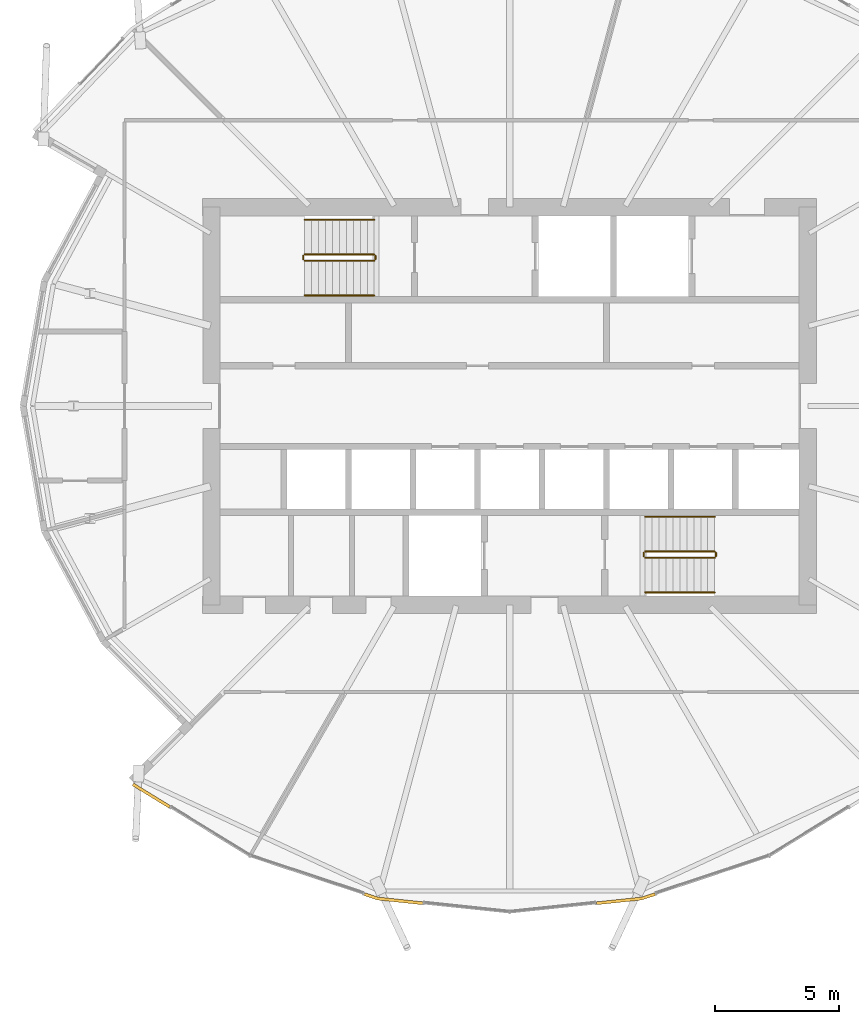
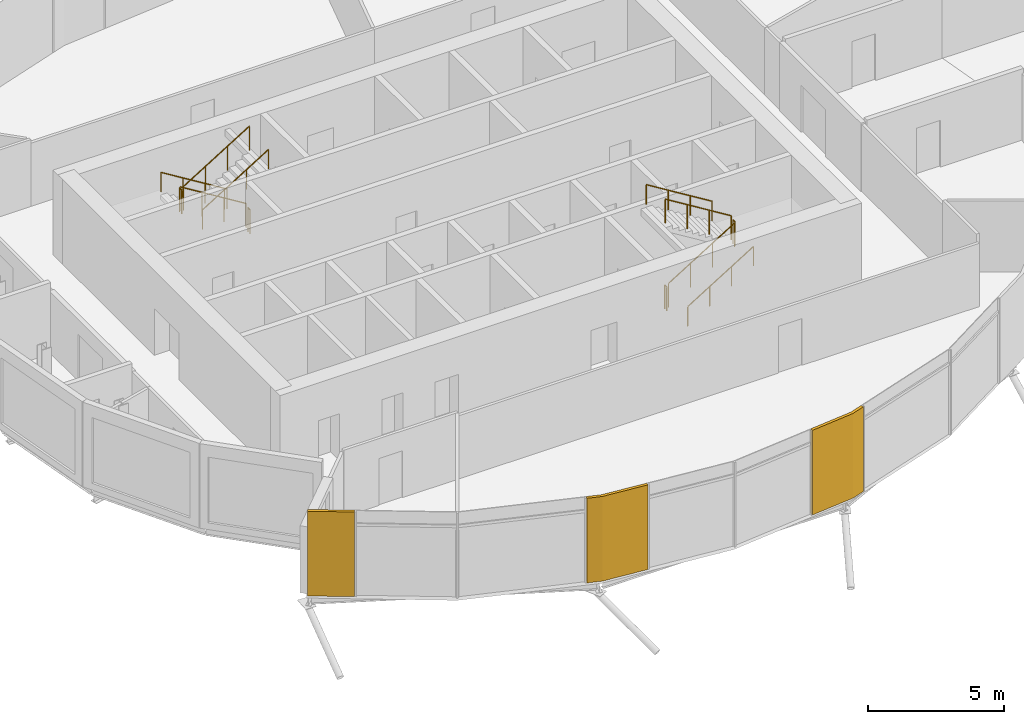
# One storey, part 36 of 39: 12 railings, 3 coverings.
"""IFC4 building model written with IfcOpenShell, lengths in metres."""

from ifc_helpers import new_model, si_unit, direction, frame, origin, origin_2d, place, context, subcontext, project, spatial, polyline, circle, outline, extrude, material, layer, layer_set, type_object, element, save


model = new_model("IFC4")

# Units and contexts
model_context = context("Model", 3, precision=1e-05, world=origin(), true_north=direction((0.0, 1.0)))
body_context = subcontext(model_context, "Body", "Model", "MODEL_VIEW")
ifc_project = project(units=[si_unit("LENGTHUNIT", "METRE"), si_unit("AREAUNIT", "SQUARE_METRE"), si_unit("VOLUMEUNIT", "CUBIC_METRE"), si_unit("PLANEANGLEUNIT", "RADIAN"), si_unit("MASSUNIT", "GRAM", prefix="KILO")], contexts=[model_context])

# Site, building, storey
site_placement = place(None, origin())
site = spatial("IfcSite", under=ifc_project, at=site_placement, CompositionType="ELEMENT")
building_placement = place(site_placement, origin())
building = spatial("IfcBuilding", under=site, at=building_placement, Name="Rimbun Link Towers", CompositionType="ELEMENT")
storey_placement = place(building_placement, frame((0.0, 0.0, 143.0)))
storey = spatial("IfcBuildingStorey", under=building, at=storey_placement, Name="L34", CompositionType="ELEMENT", Elevation=143.0)

# Coverings
ifc_material_1 = material(Name="Terracotta", Category="masonry")
ifc_layer = layer(ifc_material_1, 0.1201171875)
ifc_layer_set = layer_set([ifc_layer], Name="LINK PIER terracotta cladding 120")
covering_type = type_object("IfcCoveringType", Name="LINK PIER terracotta cladding 120", PredefinedType="CLADDING", material=ifc_layer_set)
covering_1_placement = place(storey_placement, origin())
element("IfcCovering", 1, at=covering_1_placement, inside=storey, type_object=covering_type, Name="LINK PIER cladding", PredefinedType="CLADDING", context=body_context, shape_type="SweptSolid", body=[
    extrude(outline(polyline([(-45.395751953125, -16.080322265625), (-46.878662109375, -15.169921875), (-46.94140625, -15.272216796875), (-45.45849609375, -16.1826171875), (-45.395751953125, -16.080322265625)])), origin(), (0.0, 0.0, 1.0), 3.800048828125),
])
covering_2_placement = place(storey_placement, origin())
element("IfcCovering", 2, at=covering_2_placement, inside=storey, type_object=covering_type, Name="LINK PIER cladding", PredefinedType="CLADDING", context=body_context, shape_type="SweptSolid", body=[
    extrude(outline(polyline([(-35.234130859375, -19.94873046875), (-37.044189453125, -19.758056640625), (-37.585205078125, -19.57861328125), (-37.622802734375, -19.692626953125), (-37.069580078125, -19.8759765625), (-35.24658203125, -20.06787109375), (-35.234130859375, -19.94873046875)])), origin(), (0.0, 0.0, 1.0), 3.800048828125),
])
covering_3_placement = place(storey_placement, origin())
element("IfcCovering", 3, at=covering_3_placement, inside=storey, type_object=covering_type, Name="LINK PIER cladding", PredefinedType="CLADDING", context=body_context, shape_type="SweptSolid", body=[
    extrude(outline(polyline([(-25.914794921875, -19.57861328125), (-26.455810546875, -19.758056640625), (-28.265869140625, -19.94873046875), (-28.25341796875, -20.06787109375), (-26.430419921875, -19.8759765625), (-25.877197265625, -19.692626953125), (-25.914794921875, -19.57861328125)])), origin(), (0.0, 0.0, 1.0), 3.800048828125),
])

# Railings
ifc_material_2 = material(Name="Stainless steel grade 316", Category="steel")
railing_type_1 = type_object("IfcRailingType", Name="Stair guard", PredefinedType="GUARDRAIL", material=ifc_material_2)
railing_1_placement = place(storey_placement, frame((-37.199951171875, 6.10009765625, 0.172607421875)))
element("IfcRailing", 4, at=railing_1_placement, inside=storey, type_object=railing_type_1, Name="L34 ST1 stair guard 1", PredefinedType="GUARDRAIL", context=body_context, shape_type="SweptSolid", body=[
    extrude(circle(Radius=0.02392578125, at=origin_2d()), frame((0.0, 0.0, 1.076171875), z_axis=(-0.851089632645, 0.0, 0.525020415988), x_axis=(0.0, -1.0, 0.0)), (0.0, 0.0, 1.0), 3.2900390625),
    extrude(circle(Radius=0.02099609375, at=origin_2d()), origin(), (0.0, 0.0, 1.0), 1.052001953125),
    extrude(circle(Radius=0.02099609375, at=origin_2d()), frame((-0.933349609375, 0.0, 0.57568359375)), (0.0, 0.0, 1.0), 1.052001953125),
    extrude(circle(Radius=0.02099609375, at=origin_2d()), frame((-1.86669921875, 0.0, 1.151611328125)), (0.0, 0.0, 1.0), 1.052001953125),
    extrude(circle(Radius=0.02099609375, at=origin_2d()), frame((-2.800048828125, 0.0, 1.727294921875)), (0.0, 0.0, 1.0), 1.052001953125),
])
railing_2_placement = place(storey_placement, frame((-40.050048828125, 6.050048828125, 1.89990234375)))
element("IfcRailing", 5, at=railing_2_placement, inside=storey, type_object=railing_type_1, Name="L34 ST1 stair guard 2", PredefinedType="GUARDRAIL", context=body_context, shape_type="SweptSolid", body=[
    extrude(circle(Radius=0.02392578125, at=origin_2d()), frame((0.0, 0.0, 1.076171875), z_axis=(0.0, -1.0, 0.0), x_axis=(1.0, 0.0, 0.0)), (0.0, 0.0, 1.0), 0.150146484375),
    extrude(circle(Radius=0.02099609375, at=origin_2d()), origin(), (0.0, 0.0, 1.0), 1.052001953125),
    extrude(circle(Radius=0.02099609375, at=origin_2d()), frame((0.0, -0.150146484375, 0.0)), (0.0, 0.0, 1.0), 1.052001953125),
])
railing_3_placement = place(storey_placement, frame((-40.0, 5.85009765625, 2.07275390625)))
element("IfcRailing", 6, at=railing_3_placement, inside=storey, type_object=railing_type_1, Name="L34 ST1 stair guard 3", PredefinedType="GUARDRAIL", context=body_context, shape_type="SweptSolid", body=[
    extrude(circle(Radius=0.02392578125, at=origin_2d()), frame((0.0, 0.0, 1.076171875), z_axis=(0.851089632645, 0.0, 0.525020415988), x_axis=(0.0, 1.0, 0.0)), (0.0, 0.0, 1.0), 3.2900390625),
    extrude(circle(Radius=0.02099609375, at=origin_2d()), origin(), (0.0, 0.0, 1.0), 1.052001953125),
    extrude(circle(Radius=0.02099609375, at=origin_2d()), frame((0.933349609375, 0.0, 0.57568359375)), (0.0, 0.0, 1.0), 1.052001953125),
    extrude(circle(Radius=0.02099609375, at=origin_2d()), frame((1.86669921875, 0.0, 1.151611328125)), (0.0, 0.0, 1.0), 1.052001953125),
    extrude(circle(Radius=0.02099609375, at=origin_2d()), frame((2.800048828125, 0.0, 1.727294921875)), (0.0, 0.0, 1.0), 1.052001953125),
])
railing_4_placement = place(storey_placement, frame((-37.14990234375, 6.050048828125, 0.0)))
element("IfcRailing", 7, at=railing_4_placement, inside=storey, type_object=railing_type_1, Name="L34 ST1 stair guard 4", PredefinedType="GUARDRAIL", context=body_context, shape_type="SweptSolid", body=[
    extrude(circle(Radius=0.02392578125, at=origin_2d()), frame((0.0, 0.0, 1.076171875), z_axis=(0.0, -1.0, 0.0), x_axis=(1.0, 0.0, 0.0)), (0.0, 0.0, 1.0), 0.150146484375),
    extrude(circle(Radius=0.02099609375, at=origin_2d()), origin(), (0.0, 0.0, 1.0), 1.052001953125),
    extrude(circle(Radius=0.02099609375, at=origin_2d()), frame((0.0, -0.150146484375, 0.0)), (0.0, 0.0, 1.0), 1.052001953125),
])
railing_5_placement = place(storey_placement, frame((-26.300048828125, -6.10009765625, 0.172607421875)))
element("IfcRailing", 8, at=railing_5_placement, inside=storey, type_object=railing_type_1, Name="L34 ST2 stair guard 1", PredefinedType="GUARDRAIL", context=body_context, shape_type="SweptSolid", body=[
    extrude(circle(Radius=0.02392578125, at=origin_2d()), frame((0.0, 0.0, 1.076171875), z_axis=(0.851089632645, 0.0, 0.525020415988), x_axis=(0.0, 1.0, 0.0)), (0.0, 0.0, 1.0), 3.2900390625),
    extrude(circle(Radius=0.02099609375, at=origin_2d()), origin(), (0.0, 0.0, 1.0), 1.052001953125),
    extrude(circle(Radius=0.02099609375, at=origin_2d()), frame((0.933349609375, 0.0, 0.57568359375)), (0.0, 0.0, 1.0), 1.052001953125),
    extrude(circle(Radius=0.02099609375, at=origin_2d()), frame((1.86669921875, 0.0, 1.151611328125)), (0.0, 0.0, 1.0), 1.052001953125),
    extrude(circle(Radius=0.02099609375, at=origin_2d()), frame((2.800048828125, 0.0, 1.727294921875)), (0.0, 0.0, 1.0), 1.052001953125),
])
railing_6_placement = place(storey_placement, frame((-23.449951171875, -6.050048828125, 1.89990234375)))
element("IfcRailing", 9, at=railing_6_placement, inside=storey, type_object=railing_type_1, Name="L34 ST2 stair guard 2", PredefinedType="GUARDRAIL", context=body_context, shape_type="SweptSolid", body=[
    extrude(circle(Radius=0.02392578125, at=origin_2d()), frame((0.0, 0.0, 1.076171875), z_axis=(0.0, 1.0, 0.0), x_axis=(-1.0, 0.0, 0.0)), (0.0, 0.0, 1.0), 0.150146484375),
    extrude(circle(Radius=0.02099609375, at=origin_2d()), origin(), (0.0, 0.0, 1.0), 1.052001953125),
    extrude(circle(Radius=0.02099609375, at=origin_2d()), frame((0.0, 0.150146484375, 0.0)), (0.0, 0.0, 1.0), 1.052001953125),
])
railing_7_placement = place(storey_placement, frame((-23.5, -5.85009765625, 2.07275390625)))
element("IfcRailing", 10, at=railing_7_placement, inside=storey, type_object=railing_type_1, Name="L34 ST2 stair guard 3", PredefinedType="GUARDRAIL", context=body_context, shape_type="SweptSolid", body=[
    extrude(circle(Radius=0.02392578125, at=origin_2d()), frame((0.0, 0.0, 1.076171875), z_axis=(-0.851089632645, 0.0, 0.525020415988), x_axis=(0.0, -1.0, 0.0)), (0.0, 0.0, 1.0), 3.2900390625),
    extrude(circle(Radius=0.02099609375, at=origin_2d()), origin(), (0.0, 0.0, 1.0), 1.052001953125),
    extrude(circle(Radius=0.02099609375, at=origin_2d()), frame((-0.933349609375, 0.0, 0.57568359375)), (0.0, 0.0, 1.0), 1.052001953125),
    extrude(circle(Radius=0.02099609375, at=origin_2d()), frame((-1.86669921875, 0.0, 1.151611328125)), (0.0, 0.0, 1.0), 1.052001953125),
    extrude(circle(Radius=0.02099609375, at=origin_2d()), frame((-2.800048828125, 0.0, 1.727294921875)), (0.0, 0.0, 1.0), 1.052001953125),
])
railing_8_placement = place(storey_placement, frame((-26.35009765625, -6.050048828125, 0.0)))
element("IfcRailing", 11, at=railing_8_placement, inside=storey, type_object=railing_type_1, Name="L34 ST2 stair guard 4", PredefinedType="GUARDRAIL", context=body_context, shape_type="SweptSolid", body=[
    extrude(circle(Radius=0.02392578125, at=origin_2d()), frame((0.0, 0.0, 1.076171875), z_axis=(0.0, 1.0, 0.0), x_axis=(-1.0, 0.0, 0.0)), (0.0, 0.0, 1.0), 0.150146484375),
    extrude(circle(Radius=0.02099609375, at=origin_2d()), origin(), (0.0, 0.0, 1.0), 1.052001953125),
    extrude(circle(Radius=0.02099609375, at=origin_2d()), frame((0.0, 0.150146484375, 0.0)), (0.0, 0.0, 1.0), 1.052001953125),
])
ifc_material_3 = material(Name="Stainless steel grade 316", Category="steel")
railing_type_2 = type_object("IfcRailingType", Name="Stair handrail", PredefinedType="HANDRAIL", material=ifc_material_3)
railing_9_placement = place(storey_placement, frame((-37.199951171875, 7.5, 0.172607421875)))
element("IfcRailing", 12, at=railing_9_placement, inside=storey, type_object=railing_type_2, Name="L34 ST1 stair handrail 1", PredefinedType="HANDRAIL", context=body_context, shape_type="SweptSolid", body=[
    extrude(circle(Radius=0.02392578125, at=origin_2d()), frame((0.0, 0.0, 0.8759765625), z_axis=(-0.851089632645, 0.0, 0.525020415988), x_axis=(0.0, -1.0, 0.0)), (0.0, 0.0, 1.0), 3.2900390625),
    extrude(circle(Radius=0.02099609375, at=origin_2d()), origin(), (0.0, 0.0, 1.0), 0.851806640625),
    extrude(circle(Radius=0.02099609375, at=origin_2d()), frame((-0.933349609375, 0.0, 0.57568359375)), (0.0, 0.0, 1.0), 0.851806640625),
    extrude(circle(Radius=0.02099609375, at=origin_2d()), frame((-1.86669921875, 0.0, 1.151611328125)), (0.0, 0.0, 1.0), 0.851806640625),
    extrude(circle(Radius=0.02099609375, at=origin_2d()), frame((-2.800048828125, 0.0, 1.727294921875)), (0.0, 0.0, 1.0), 0.851806640625),
])
for number, where, name in (
    (13, (-40.0, 4.449951171875, 2.07275390625), "L34 ST1 stair handrail 2"),
    (14, (-26.300048828125, -7.5, 0.172607421875), "L34 ST2 stair handrail 1"),
):
    element("IfcRailing", number, at=place(storey_placement, frame(where)), inside=storey, type_object=railing_type_2, Name=name, PredefinedType="HANDRAIL", context=body_context, shape_type="SweptSolid", body=[
        extrude(circle(Radius=0.02392578125, at=origin_2d()), frame((0.0, 0.0, 0.8759765625), z_axis=(0.851089632645, 0.0, 0.525020415988), x_axis=(0.0, 1.0, 0.0)), (0.0, 0.0, 1.0), 3.2900390625),
        extrude(circle(Radius=0.02099609375, at=origin_2d()), origin(), (0.0, 0.0, 1.0), 0.851806640625),
        extrude(circle(Radius=0.02099609375, at=origin_2d()), frame((0.933349609375, 0.0, 0.57568359375)), (0.0, 0.0, 1.0), 0.851806640625),
        extrude(circle(Radius=0.02099609375, at=origin_2d()), frame((1.86669921875, 0.0, 1.151611328125)), (0.0, 0.0, 1.0), 0.851806640625),
        extrude(circle(Radius=0.02099609375, at=origin_2d()), frame((2.800048828125, 0.0, 1.727294921875)), (0.0, 0.0, 1.0), 0.851806640625),
    ])
railing_10_placement = place(storey_placement, frame((-23.5, -4.449951171875, 2.07275390625)))
element("IfcRailing", 15, at=railing_10_placement, inside=storey, type_object=railing_type_2, Name="L34 ST2 stair handrail 2", PredefinedType="HANDRAIL", context=body_context, shape_type="SweptSolid", body=[
    extrude(circle(Radius=0.02392578125, at=origin_2d()), frame((0.0, 0.0, 0.8759765625), z_axis=(-0.851089632645, 0.0, 0.525020415988), x_axis=(0.0, -1.0, 0.0)), (0.0, 0.0, 1.0), 3.2900390625),
    extrude(circle(Radius=0.02099609375, at=origin_2d()), origin(), (0.0, 0.0, 1.0), 0.851806640625),
    extrude(circle(Radius=0.02099609375, at=origin_2d()), frame((-0.933349609375, 0.0, 0.57568359375)), (0.0, 0.0, 1.0), 0.851806640625),
    extrude(circle(Radius=0.02099609375, at=origin_2d()), frame((-1.86669921875, 0.0, 1.151611328125)), (0.0, 0.0, 1.0), 0.851806640625),
    extrude(circle(Radius=0.02099609375, at=origin_2d()), frame((-2.800048828125, 0.0, 1.727294921875)), (0.0, 0.0, 1.0), 0.851806640625),
])

save(model, "model.ifc")
